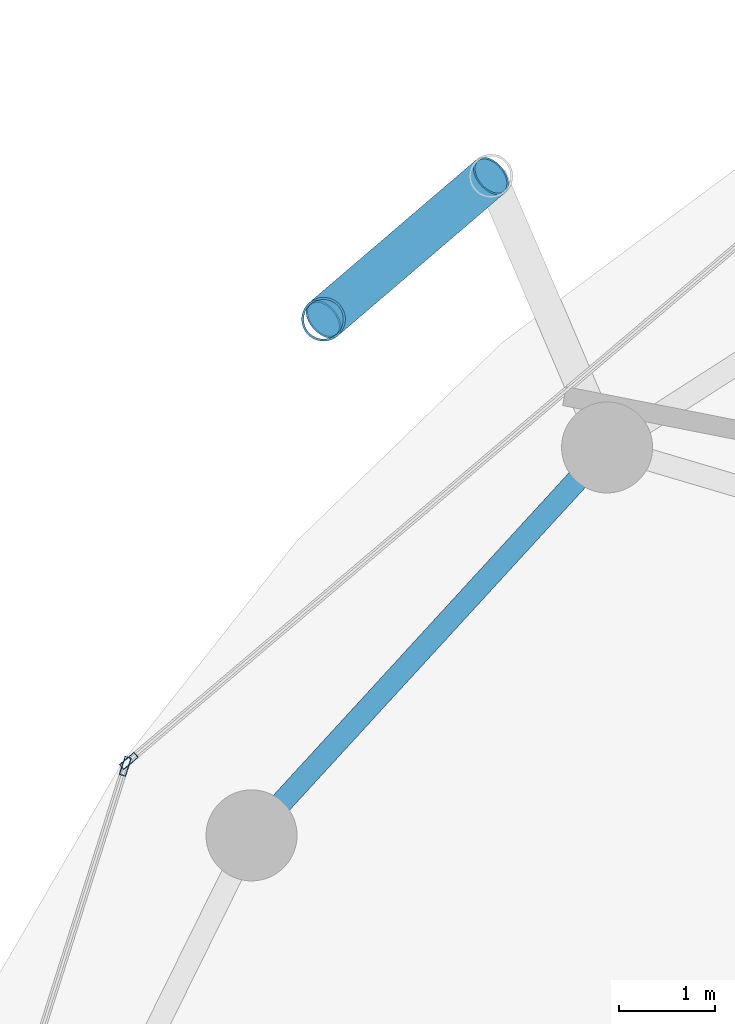
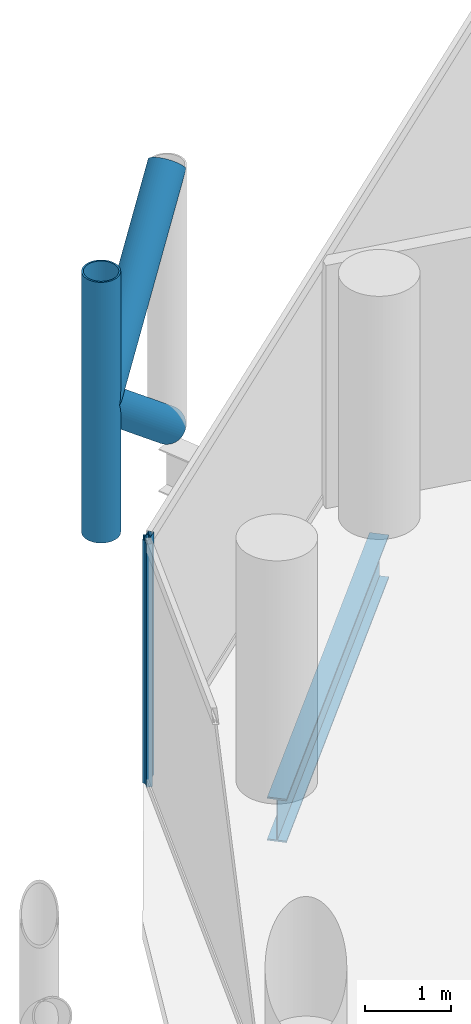
# One storey, part 13 of 26: 5 members, 1 beam, 2 elements without a shape of their own.
"""IFC4 building model written with IfcOpenShell, lengths in metres."""

from ifc_helpers import new_model, si_unit, direction, frame, origin, origin_2d, place, context, subcontext, project, spatial, hollow_rectangle, hollow_circle, i_section, extrude, material, layer, layer_set, material_profile, profile_set, type_object, element, aggregate, save


model = new_model("IFC4")

# Units and contexts
model_context = context("Model", 3, precision=1e-05, world=origin(), true_north=direction((0.0, 1.0)))
body_context = subcontext(model_context, "Body", "Model", "MODEL_VIEW")
ifc_project = project(units=[si_unit("LENGTHUNIT", "METRE"), si_unit("AREAUNIT", "SQUARE_METRE"), si_unit("VOLUMEUNIT", "CUBIC_METRE"), si_unit("PLANEANGLEUNIT", "RADIAN"), si_unit("MASSUNIT", "GRAM", prefix="KILO")], contexts=[model_context])

# Site, building, storey
site_placement = place(None, origin())
site = spatial("IfcSite", under=ifc_project, at=site_placement, CompositionType="ELEMENT")
building_placement = place(site_placement, origin())
building = spatial("IfcBuilding", under=site, at=building_placement, Name="Nuhasar Tower", CompositionType="ELEMENT")
storey_placement = place(building_placement, frame((0.0, 0.0, 133.050048828125)))
storey = spatial("IfcBuildingStorey", under=building, at=storey_placement, Name="L31", CompositionType="ELEMENT", Elevation=133.050048828125)

# Beam
ifc_material_1 = material(Name="Steel S355", Category="steel")
ifc_material_profile_1 = material_profile(ifc_material_1, i_section(OverallWidth=0.22998046875, OverallDepth=0.616943359375, WebThickness=0.01318359375, FlangeThickness=0.022216796875, at=origin_2d()), Name="W24X94")
ifc_profile_set_1 = profile_set([ifc_material_profile_1], Name="Steel S355")
beam_type = type_object("IfcBeamType", Name="BM-RING-W24X94", PredefinedType="SPANDREL", material=ifc_profile_set_1)
beam_placement = place(storey_placement, frame((22.489013671875, 40.6240234375, -0.55810546875), z_axis=(-0.675654174897, -0.737218716491, 0.0), x_axis=(0.737218716491, -0.675654174897, 0.0)))
element("IfcBeam", 1, at=beam_placement, inside=storey, type_object=beam_type, Name="L31 Perimeter Ring Spandrel 10", PredefinedType="SPANDREL", context=body_context, shape_type="SweptSolid", body=[
    extrude(i_section(OverallWidth=0.22998046875, OverallDepth=0.616943359375, WebThickness=0.01318359375, FlangeThickness=0.022216796875, at=origin_2d()), origin(), (0.0, 0.0, 1.0), 5.492431640625),
])

# Curtain wall, member
ifc_material_2 = material(Name="Aluminium 6063-T6", Category="aluminium")
ifc_layer = layer(ifc_material_2, 0.199951171875)
ifc_layer_set = layer_set([ifc_layer], Name="Aluminium 6063-T6")
curtain_wall_type = type_object("IfcCurtainWallType", Name="CW-Z2-HTL", PredefinedType="NOTDEFINED", material=ifc_layer_set)
curtain_wall_1_placement = place(storey_placement, origin())
curtain_wall_1 = element("IfcCurtainWall", 2, at=curtain_wall_1_placement, inside=storey, type_object=curtain_wall_type, Name="L31 Unitised Curtain Wall 05", PredefinedType="NOTDEFINED")
ifc_material_profile_2 = material_profile(ifc_material_2, hollow_rectangle(XDim=0.070068359375, YDim=0.199951171875, WallThickness=0.0048828125, at=origin_2d()), Name="CWM-3")
ifc_profile_set_2 = profile_set([ifc_material_profile_2], Name="Aluminium 6063-T6")
member_type_1 = type_object("IfcMemberType", Name="CW-MUL-S3", PredefinedType="MULLION", material=ifc_profile_set_2)
member_1_placement = place(storey_placement, frame((17.497802734375, 37.3525390625, 0.0), z_axis=(0.0, 0.0, 1.0), x_axis=(0.646374438324, -0.763020370292, 0.0)))
member_1 = element("IfcMember", 3, at=member_1_placement, type_object=member_type_1, Name="CW-Z2 mullion 2", PredefinedType="MULLION", context=body_context, shape_type="SweptSolid", body=[
    extrude(hollow_rectangle(XDim=0.070068359375, YDim=0.199951171875, WallThickness=0.0048828125, at=origin_2d()), origin(), (0.0, 0.0, 1.0), 3.449951171875),
])
aggregate(curtain_wall_1, [member_1])

curtain_wall_2_placement = place(storey_placement, origin())
curtain_wall_2 = element("IfcCurtainWall", 4, at=curtain_wall_2_placement, inside=storey, type_object=curtain_wall_type, Name="L31 Unitised Curtain Wall 06", PredefinedType="NOTDEFINED")
member_2_placement = place(storey_placement, frame((17.46044921875, 37.296630859375, 0.0), z_axis=(0.0, 0.0, 1.0), x_axis=(0.953433389233, -0.301603667577, 0.0)))
member_2 = element("IfcMember", 5, at=member_2_placement, type_object=member_type_1, Name="CW-Z2 mullion 1", PredefinedType="MULLION", context=body_context, shape_type="SweptSolid", body=[
    extrude(hollow_rectangle(XDim=0.070068359375, YDim=0.199951171875, WallThickness=0.0048828125, at=origin_2d()), origin(), (0.0, 0.0, 1.0), 3.449951171875),
])
aggregate(curtain_wall_2, [member_2])

# Members
ifc_material_3 = material(Name="Steel S460", Category="steel")
ifc_material_profile_3 = material_profile(ifc_material_3, hollow_circle(Radius=0.228515625, WallThickness=0.022216796875, at=origin_2d()), Name="HSS457X22.2")
ifc_profile_set_3 = profile_set([ifc_material_profile_3], Name="Steel S460")
member_type_2 = type_object("IfcMemberType", Name="EXO-BRONZE-457", PredefinedType="BRACE", material=ifc_profile_set_3)
member_3_placement = place(storey_placement, frame((19.529052734375, 41.9619140625, 0.0), z_axis=(0.0, 0.0, 1.0), x_axis=(1.0, 0.0, 0.0)))
element("IfcMember", 6, at=member_3_placement, inside=storey, type_object=member_type_2, Name="L31 Exoskeleton Chord Column EC-05B", PredefinedType="BRACE", context=body_context, shape_type="SweptSolid", body=[
    extrude(hollow_circle(Radius=0.228515625, WallThickness=0.022216796875, at=origin_2d()), origin(), (0.0, 0.0, 1.0), 3.699951171875),
])
member_4_placement = place(storey_placement, frame((21.277099609375, 43.45703125, 0.0), z_axis=(-0.592201065785, -0.506513872468, 0.626690988192), x_axis=(0.649986859795, -0.759945446788, 0.0)))
element("IfcMember", 7, at=member_4_placement, inside=storey, type_object=member_type_2, Name="L31 Bronze Diagrid Brace W1-05", PredefinedType="BRACE", context=body_context, shape_type="SweptSolid", body=[
    extrude(hollow_circle(Radius=0.228515625, WallThickness=0.022216796875, at=origin_2d()), origin(), (0.0, 0.0, 1.0), 2.95166015625),
])
member_5_placement = place(storey_placement, frame((19.529052734375, 41.9619140625, 1.849853515625), z_axis=(0.592170370358, 0.506487618445, 0.626741210415), x_axis=(-0.649986859795, 0.759945446788, 0.0)))
element("IfcMember", 8, at=member_5_placement, inside=storey, type_object=member_type_2, Name="L31 Bronze Diagrid Brace W2-05", PredefinedType="BRACE", context=body_context, shape_type="SweptSolid", body=[
    extrude(hollow_circle(Radius=0.228515625, WallThickness=0.022216796875, at=origin_2d()), origin(), (0.0, 0.0, 1.0), 2.951904296875),
])

save(model, "model.ifc")
